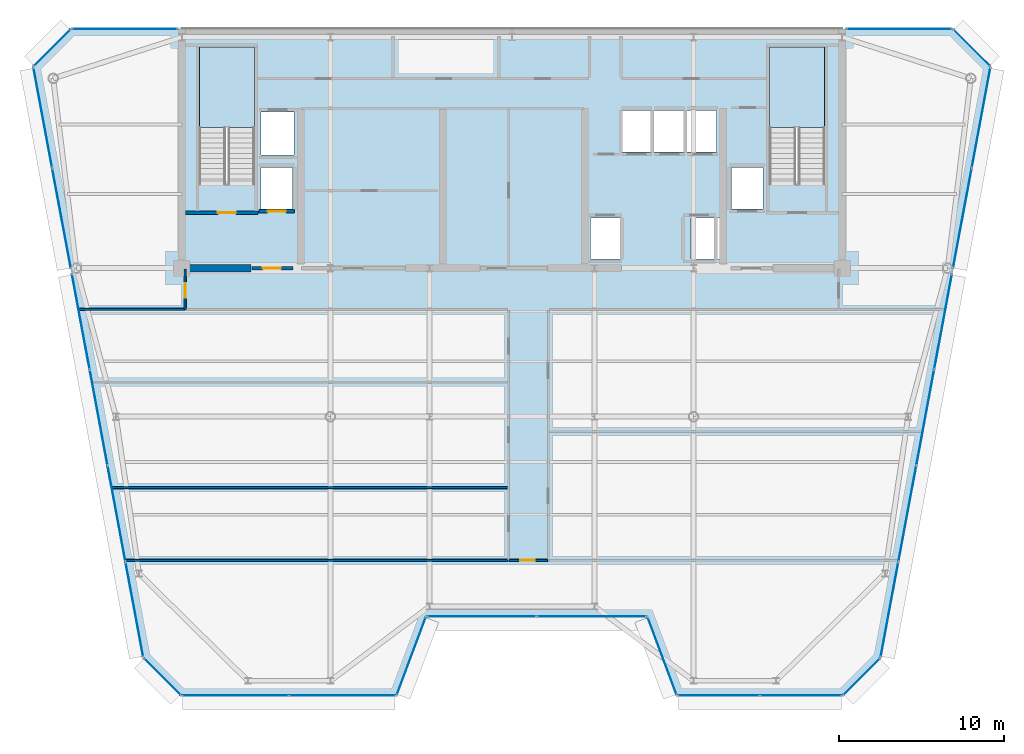
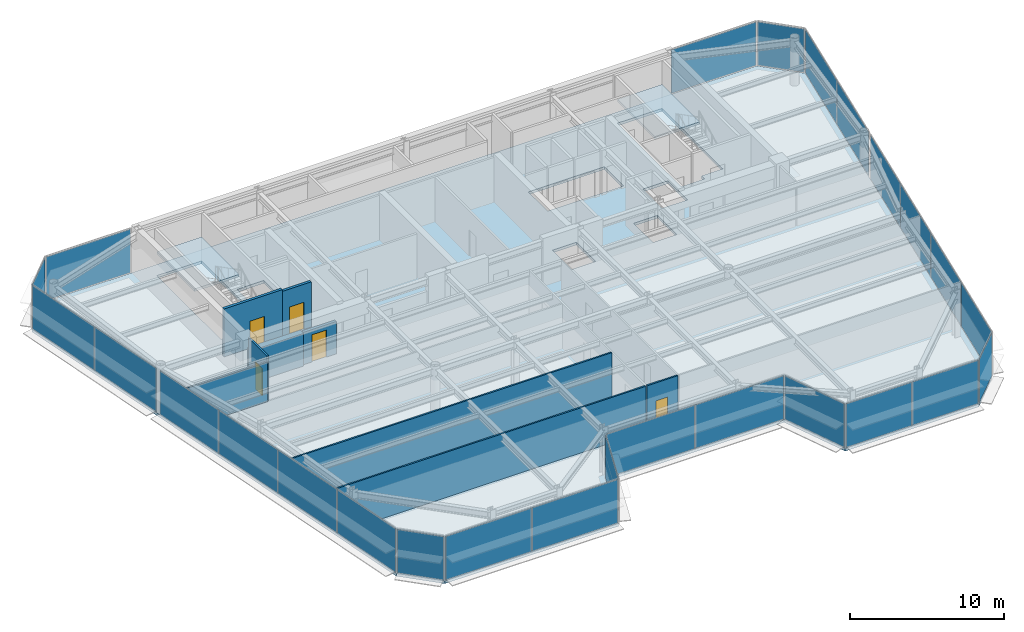
# One storey, part 9 of 18: 26 plates, 9 walls, 5 doors, 3 slabs, 5 openings, 17 elements without a shape of their own.
"""IFC4 building model written with IfcOpenShell, lengths in metres."""

from ifc_helpers import new_model, si_unit, direction, frame, frame_2d, origin, origin_2d, place, context, subcontext, project, spatial, polyline, rectangle, outline, extrude, source, transform, mapped, material, layer, layer_set, type_object, element, fill, aggregate, save


model = new_model("IFC4")

# Units and contexts
model_context = context("Model", 3, precision=1e-05, world=origin(), true_north=direction((0.0, 1.0)))
body_context = subcontext(model_context, "Body", "Model", "MODEL_VIEW")
ifc_project = project(units=[si_unit("LENGTHUNIT", "METRE"), si_unit("AREAUNIT", "SQUARE_METRE"), si_unit("VOLUMEUNIT", "CUBIC_METRE"), si_unit("PLANEANGLEUNIT", "RADIAN"), si_unit("MASSUNIT", "GRAM", prefix="KILO")], contexts=[model_context])

# Site, building, storey
site_placement = place(None, origin())
site = spatial("IfcSite", under=ifc_project, at=site_placement, CompositionType="ELEMENT")
building_placement = place(site_placement, origin())
building = spatial("IfcBuilding", under=site, at=building_placement, Name="Vaeldorn Concourse Tower", CompositionType="ELEMENT")
storey_placement = place(building_placement, frame((0.0, 0.0, 257.39990234375)))
storey = spatial("IfcBuildingStorey", under=building, at=storey_placement, Name="L66", CompositionType="ELEMENT", Elevation=257.39990234375)

# Stair, slab
ifc_material_1 = material(Name="Precast concrete C40/50", Category="concrete")
stair_type = type_object("IfcStairType", Name="STR-DOG-24x158", PredefinedType="HALF_TURN_STAIR", material=ifc_material_1)
stair_1_placement = place(storey_placement, origin())
stair_1 = element("IfcStair", 1, at=stair_1_placement, inside=storey, type_object=stair_type, Name="L66 West Core Exit Stair ST-1", PredefinedType="HALF_TURN_STAIR")
ifc_material_2 = material(Name="Concrete C40/50", Category="concrete")
ifc_layer_1 = layer(ifc_material_2, 0.199951171875)
ifc_layer_set_1 = layer_set([ifc_layer_1], Name="Concrete C40/50")
slab_type_1 = type_object("IfcSlabType", Name="SL-STAIR-LANDING", PredefinedType="LANDING", material=ifc_layer_set_1)
slab_1_placement = place(storey_placement, frame((0.0, 0.0, 1.7001953125)))
slab_1 = element("IfcSlab", 2, at=slab_1_placement, type_object=slab_type_1, Name="ST-1 landing 1", PredefinedType="LANDING", context=body_context, shape_type="SweptSolid", body=[
    extrude(outline(polyline([(18.39990234375, 45.010009765625), (18.39990234375, 49.89990234375), (15.050048828125, 49.89990234375), (15.050048828125, 45.010009765625), (18.39990234375, 45.010009765625)])), origin(), (0.0, 0.0, 1.0), 0.199951171875),
])
aggregate(stair_1, [slab_1])

stair_2_placement = place(storey_placement, origin())
stair_2 = element("IfcStair", 3, at=stair_2_placement, inside=storey, type_object=stair_type, Name="L66 East Core Exit Stair ST-2", PredefinedType="HALF_TURN_STAIR")
slab_2_placement = place(storey_placement, frame((0.0, 0.0, 1.7001953125)))
slab_2 = element("IfcSlab", 4, at=slab_2_placement, type_object=slab_type_1, Name="ST-2 landing 1", PredefinedType="LANDING", context=body_context, shape_type="SweptSolid", body=[
    extrude(outline(polyline([(52.949951171875, 45.010009765625), (52.949951171875, 49.89990234375), (49.60009765625, 49.89990234375), (49.60009765625, 45.010009765625), (52.949951171875, 45.010009765625)])), origin(), (0.0, 0.0, 1.0), 0.199951171875),
])
aggregate(stair_2, [slab_2])

# Slab
ifc_layer_2 = layer(ifc_material_2, 0.219970703125)
ifc_layer_set_2 = layer_set([ifc_layer_2], Name="Concrete C40/50")
slab_type_2 = type_object("IfcSlabType", Name="SL-TYP-220", PredefinedType="FLOOR", material=ifc_layer_set_2)
slab_3_placement = place(storey_placement, frame((0.0, 0.0, -0.219970703125)))
element("IfcSlab", 5, at=slab_3_placement, inside=storey, type_object=slab_type_2, Name="Structural Floor Slab L66", PredefinedType="FLOOR", context=body_context, shape_type="SweptSolid", body=[
    extrude(outline(polyline([(13.966064453125, 10.60009765625), (27.0, 10.60009765625), (28.800048828125, 15.39990234375), (42.199951171875, 15.39990234375), (44.0, 10.60009765625), (54.033935546875, 10.60009765625), (56.333984375, 12.89990234375), (63.0, 48.699951171875), (60.699951171875, 51.0), (7.300048828125, 51.0), (5.0, 48.699951171875), (11.666015625, 12.89990234375), (13.966064453125, 10.60009765625)]), holes=[polyline([(18.39990234375, 42.0), (18.39990234375, 49.89990234375), (15.050048828125, 49.89990234375), (15.050048828125, 41.60009765625), (16.800048828125, 41.60009765625), (16.800048828125, 42.0), (18.39990234375, 42.0)]), polyline([(52.949951171875, 42.0), (52.949951171875, 49.89990234375), (49.60009765625, 49.89990234375), (49.60009765625, 41.60009765625), (51.35009765625, 41.60009765625), (51.35009765625, 42.0), (52.949951171875, 42.0)]), polyline([(38.75, 37.050048828125), (40.550048828125, 37.050048828125), (40.550048828125, 39.550048828125), (38.75, 39.550048828125), (38.75, 37.050048828125)]), polyline([(44.85009765625, 37.050048828125), (46.64990234375, 37.050048828125), (46.64990234375, 39.550048828125), (44.85009765625, 39.550048828125), (44.85009765625, 37.050048828125)]), polyline([(40.699951171875, 43.550048828125), (46.39990234375, 43.550048828125), (46.39990234375, 46.050048828125), (40.699951171875, 46.050048828125), (40.699951171875, 43.550048828125)]), polyline([(18.800048828125, 43.35009765625), (20.800048828125, 43.35009765625), (20.800048828125, 45.949951171875), (18.800048828125, 45.949951171875), (18.800048828125, 43.35009765625)]), polyline([(18.800048828125, 40.10009765625), (20.699951171875, 40.10009765625), (20.699951171875, 42.60009765625), (18.800048828125, 42.60009765625), (18.800048828125, 40.10009765625)]), polyline([(47.300048828125, 40.10009765625), (49.199951171875, 40.10009765625), (49.199951171875, 42.60009765625), (47.300048828125, 42.60009765625), (47.300048828125, 40.10009765625)])]), origin(), (0.0, 0.0, 1.0), 0.219970703125),
])

# Curtain wall, plate
ifc_material_3 = material(Name="Anodised Bronze Aluminium", Category="aluminium")
ifc_layer_3 = layer(ifc_material_3, 0.179931640625)
ifc_layer_set_3 = layer_set([ifc_layer_3], Name="Anodised Bronze Aluminium")
curtain_wall_type = type_object("IfcCurtainWallType", Name="CW-SYS-05", PredefinedType="NOTDEFINED", material=ifc_layer_set_3)
curtain_wall_1_placement = place(storey_placement, origin())
curtain_wall_1 = element("IfcCurtainWall", 6, at=curtain_wall_1_placement, inside=storey, type_object=curtain_wall_type, Name="Unitised Curtain Wall CW-L66-E02-1", PredefinedType="NOTDEFINED")
ifc_material_4 = material(Name="Bronze Tinted Low-E Insulated Glass", Category="glass")
ifc_layer_4 = layer(ifc_material_4, 0.031982421875)
ifc_layer_set_4 = layer_set([ifc_layer_4], Name="Bronze Tinted Low-E Insulated Glass")
plate_type = type_object("IfcPlateType", Name="CWP-VISION-32", PredefinedType="CURTAIN_PANEL", material=ifc_layer_set_4)
shared_shape_1 = source(origin(), body_context, "Body", "SweptSolid", [
    extrude(rectangle(XDim=4.996337890625, YDim=0.031982421875, at=origin_2d()), origin(), (0.0, 0.0, 1.0), 3.449951171875),
])
plate_1_placement = place(storey_placement, frame((27.89990234375, 13.0, 0.06494140625), z_axis=(0.0, 0.0, 1.0), x_axis=(0.351123441595, 0.936329177566, 0.0)))
plate_1 = element("IfcPlate", 7, at=plate_1_placement, type_object=plate_type, Name="CW-05 panel 1.1", PredefinedType="CURTAIN_PANEL", context=body_context, shape_type="MappedRepresentation", body=[
    mapped(shared_shape_1, transform((0.0, 0.0, 0.0), scale=1.0)),
])
aggregate(curtain_wall_1, [plate_1])

curtain_wall_2_placement = place(storey_placement, origin())
curtain_wall_2 = element("IfcCurtainWall", 8, at=curtain_wall_2_placement, inside=storey, type_object=curtain_wall_type, Name="Unitised Curtain Wall CW-L66-E04-1", PredefinedType="NOTDEFINED")
plate_2_placement = place(storey_placement, frame((43.10009765625, 13.0, 0.06494140625), z_axis=(0.0, 0.0, 1.0), x_axis=(0.351123441595, -0.936329177566, 0.0)))
plate_2 = element("IfcPlate", 9, at=plate_2_placement, type_object=plate_type, Name="CW-05 panel 1.1", PredefinedType="CURTAIN_PANEL", context=body_context, shape_type="MappedRepresentation", body=[
    mapped(shared_shape_1, transform((0.0, 0.0, 0.0), scale=1.0)),
])
aggregate(curtain_wall_2, [plate_2])

# Curtain wall, plates
curtain_wall_3_placement = place(storey_placement, origin())
curtain_wall_3 = element("IfcCurtainWall", 10, at=curtain_wall_3_placement, inside=storey, type_object=curtain_wall_type, Name="Unitised Curtain Wall CW-L66-E03-1", PredefinedType="NOTDEFINED")
shared_shape_2 = source(origin(), body_context, "Body", "SweptSolid", [
    extrude(rectangle(XDim=6.6025390625, YDim=0.031982421875, at=origin_2d()), origin(), (0.0, 0.0, 1.0), 3.449951171875),
])
plate_3_placement = place(storey_placement, frame((32.166259765625, 15.39990234375, 0.06494140625), z_axis=(0.0, 0.0, 1.0), x_axis=(1.0, 0.0, 0.0)))
plate_3 = element("IfcPlate", 11, at=plate_3_placement, type_object=plate_type, Name="CW-05 panel 1.1", PredefinedType="CURTAIN_PANEL", context=body_context, shape_type="MappedRepresentation", body=[
    mapped(shared_shape_2, transform((0.0, 0.0, 0.0), scale=1.0)),
])
plate_4_placement = place(storey_placement, frame((38.833740234375, 15.39990234375, 0.06494140625), z_axis=(0.0, 0.0, 1.0), x_axis=(1.0, 0.0, 0.0)))
plate_4 = element("IfcPlate", 12, at=plate_4_placement, type_object=plate_type, Name="CW-05 panel 2.1", PredefinedType="CURTAIN_PANEL", context=body_context, shape_type="MappedRepresentation", body=[
    mapped(shared_shape_2, transform((0.0, 0.0, 0.0), scale=1.0)),
])
aggregate(curtain_wall_3, [plate_3, plate_4])

# Curtain wall, plate
curtain_wall_4_placement = place(storey_placement, origin())
curtain_wall_4 = element("IfcCurtainWall", 13, at=curtain_wall_4_placement, inside=storey, type_object=curtain_wall_type, Name="Unitised Curtain Wall CW-L66-E06-1", PredefinedType="NOTDEFINED")
shared_shape_3 = source(origin(), body_context, "Body", "SweptSolid", [
    extrude(rectangle(XDim=3.122802734375, YDim=0.031982421875, at=origin_2d()), origin(), (0.0, 0.0, 1.0), 3.449951171875),
])
plate_5_placement = place(storey_placement, frame((55.18408203125, 11.75, 0.06494140625), z_axis=(0.0, 0.0, 1.0), x_axis=(0.707106781187, 0.707106781187, 0.0)))
plate_5 = element("IfcPlate", 14, at=plate_5_placement, type_object=plate_type, Name="CW-05 panel 1.1", PredefinedType="CURTAIN_PANEL", context=body_context, shape_type="MappedRepresentation", body=[
    mapped(shared_shape_3, transform((0.0, 0.0, 0.0), scale=1.0)),
])
aggregate(curtain_wall_4, [plate_5])

curtain_wall_5_placement = place(storey_placement, origin())
curtain_wall_5 = element("IfcCurtainWall", 15, at=curtain_wall_5_placement, inside=storey, type_object=curtain_wall_type, Name="Unitised Curtain Wall CW-L66-E08-1", PredefinedType="NOTDEFINED")
plate_6_placement = place(storey_placement, frame((61.85009765625, 49.85009765625, 0.06494140625), z_axis=(0.0, 0.0, 1.0), x_axis=(-0.707106781187, 0.707106781187, 0.0)))
plate_6 = element("IfcPlate", 16, at=plate_6_placement, type_object=plate_type, Name="CW-05 panel 1.1", PredefinedType="CURTAIN_PANEL", context=body_context, shape_type="MappedRepresentation", body=[
    mapped(shared_shape_3, transform((0.0, 0.0, 0.0), scale=1.0)),
])
aggregate(curtain_wall_5, [plate_6])

curtain_wall_6_placement = place(storey_placement, origin())
curtain_wall_6 = element("IfcCurtainWall", 17, at=curtain_wall_6_placement, inside=storey, type_object=curtain_wall_type, Name="Unitised Curtain Wall CW-L66-E10-1", PredefinedType="NOTDEFINED")
plate_7_placement = place(storey_placement, frame((6.14990234375, 49.85009765625, 0.06494140625), z_axis=(0.0, 0.0, 1.0), x_axis=(-0.707106781187, -0.707106781187, 0.0)))
plate_7 = element("IfcPlate", 18, at=plate_7_placement, type_object=plate_type, Name="CW-05 panel 1.1", PredefinedType="CURTAIN_PANEL", context=body_context, shape_type="MappedRepresentation", body=[
    mapped(shared_shape_3, transform((0.0, 0.0, 0.0), scale=1.0)),
])
aggregate(curtain_wall_6, [plate_7])

curtain_wall_7_placement = place(storey_placement, origin())
curtain_wall_7 = element("IfcCurtainWall", 19, at=curtain_wall_7_placement, inside=storey, type_object=curtain_wall_type, Name="Unitised Curtain Wall CW-L66-E12-1", PredefinedType="NOTDEFINED")
plate_8_placement = place(storey_placement, frame((12.81591796875, 11.75, 0.06494140625), z_axis=(0.0, 0.0, 1.0), x_axis=(0.707106781187, -0.707106781187, 0.0)))
plate_8 = element("IfcPlate", 20, at=plate_8_placement, type_object=plate_type, Name="CW-05 panel 1.1", PredefinedType="CURTAIN_PANEL", context=body_context, shape_type="MappedRepresentation", body=[
    mapped(shared_shape_3, transform((0.0, 0.0, 0.0), scale=1.0)),
])
aggregate(curtain_wall_7, [plate_8])

# Curtain wall, plates
curtain_wall_8_placement = place(storey_placement, origin())
curtain_wall_8 = element("IfcCurtainWall", 21, at=curtain_wall_8_placement, inside=storey, type_object=curtain_wall_type, Name="Unitised Curtain Wall CW-L66-E07-1", PredefinedType="NOTDEFINED")
shared_shape_4 = source(origin(), body_context, "Body", "SweptSolid", [
    extrude(rectangle(XDim=5.82373046875, YDim=0.031982421875, at=origin_2d()), origin(), (0.0, 0.0, 1.0), 3.449951171875),
])
plate_9_placement = place(storey_placement, frame((56.87890625, 15.82666015625, 0.06494140625), z_axis=(0.0, 0.0, 1.0), x_axis=(0.18305510739, 0.983102653673, 0.0)))
plate_9 = element("IfcPlate", 22, at=plate_9_placement, type_object=plate_type, Name="CW-05 panel 1.1", PredefinedType="CURTAIN_PANEL", context=body_context, shape_type="MappedRepresentation", body=[
    mapped(shared_shape_4, transform((0.0, 0.0, 0.0), scale=1.0)),
])
plate_10_placement = place(storey_placement, frame((60.124755859375, 33.25830078125, 0.06494140625), z_axis=(0.0, 0.0, 1.0), x_axis=(0.18305510739, 0.983102653673, 0.0)))
plate_10 = element("IfcPlate", 23, at=plate_10_placement, type_object=plate_type, Name="CW-05 panel 4.1", PredefinedType="CURTAIN_PANEL", context=body_context, shape_type="MappedRepresentation", body=[
    mapped(shared_shape_4, transform((0.0, 0.0, 0.0), scale=1.0)),
])

curtain_wall_9_placement = place(storey_placement, origin())
curtain_wall_9 = element("IfcCurtainWall", 24, at=curtain_wall_9_placement, inside=storey, type_object=curtain_wall_type, Name="Unitised Curtain Wall CW-L66-E11-2", PredefinedType="NOTDEFINED")
plate_11_placement = place(storey_placement, frame((7.875244140625, 33.25830078125, 0.06494140625), z_axis=(0.0, 0.0, 1.0), x_axis=(0.18305510739, -0.983102653673, 0.0)))
plate_11 = element("IfcPlate", 25, at=plate_11_placement, type_object=plate_type, Name="CW-05 panel 1.1", PredefinedType="CURTAIN_PANEL", context=body_context, shape_type="MappedRepresentation", body=[
    mapped(shared_shape_4, transform((0.0, 0.0, 0.0), scale=1.0)),
])
plate_12_placement = place(storey_placement, frame((11.12109375, 15.82666015625, 0.06494140625), z_axis=(0.0, 0.0, 1.0), x_axis=(0.18305510739, -0.983102653673, 0.0)))
plate_12 = element("IfcPlate", 26, at=plate_12_placement, type_object=plate_type, Name="CW-05 panel 4.1", PredefinedType="CURTAIN_PANEL", context=body_context, shape_type="MappedRepresentation", body=[
    mapped(shared_shape_4, transform((0.0, 0.0, 0.0), scale=1.0)),
])

# Plate
shared_shape_5 = source(origin(), body_context, "Body", "SweptSolid", [
    extrude(rectangle(XDim=5.856201171875, YDim=0.031982421875, at=origin_2d()), origin(), (0.0, 0.0, 1.0), 3.449951171875),
])
plate_13_placement = place(storey_placement, frame((57.9599609375, 21.6318359375, 0.06494140625), z_axis=(0.0, 0.0, 1.0), x_axis=(0.18305510739, 0.983102653673, 0.0)))
plate_13 = element("IfcPlate", 27, at=plate_13_placement, type_object=plate_type, Name="CW-05 panel 2.1", PredefinedType="CURTAIN_PANEL", context=body_context, shape_type="MappedRepresentation", body=[
    mapped(shared_shape_5, transform((0.0, 0.0, 0.0), scale=1.0)),
])

plate_14_placement = place(storey_placement, frame((59.043701171875, 27.453125, 0.06494140625), z_axis=(0.0, 0.0, 1.0), x_axis=(0.18305510739, 0.983102653673, 0.0)))
plate_14 = element("IfcPlate", 28, at=plate_14_placement, type_object=plate_type, Name="CW-05 panel 3.1", PredefinedType="CURTAIN_PANEL", context=body_context, shape_type="MappedRepresentation", body=[
    mapped(shared_shape_5, transform((0.0, 0.0, 0.0), scale=1.0)),
])

aggregate(curtain_wall_8, [plate_9, plate_13, plate_14, plate_10])

plate_15_placement = place(storey_placement, frame((8.956298828125, 27.453125, 0.06494140625), z_axis=(0.0, 0.0, 1.0), x_axis=(0.18305510739, -0.983102653673, 0.0)))
plate_15 = element("IfcPlate", 29, at=plate_15_placement, type_object=plate_type, Name="CW-05 panel 2.1", PredefinedType="CURTAIN_PANEL", context=body_context, shape_type="MappedRepresentation", body=[
    mapped(shared_shape_5, transform((0.0, 0.0, 0.0), scale=1.0)),
])

plate_16_placement = place(storey_placement, frame((10.0400390625, 21.6318359375, 0.06494140625), z_axis=(0.0, 0.0, 1.0), x_axis=(0.18305510739, -0.983102653673, 0.0)))
plate_16 = element("IfcPlate", 30, at=plate_16_placement, type_object=plate_type, Name="CW-05 panel 3.1", PredefinedType="CURTAIN_PANEL", context=body_context, shape_type="MappedRepresentation", body=[
    mapped(shared_shape_5, transform((0.0, 0.0, 0.0), scale=1.0)),
])

aggregate(curtain_wall_9, [plate_11, plate_15, plate_16, plate_12])

# Curtain wall, plates
curtain_wall_10_placement = place(storey_placement, origin())
curtain_wall_10 = element("IfcCurtainWall", 31, at=curtain_wall_10_placement, inside=storey, type_object=curtain_wall_type, Name="Unitised Curtain Wall CW-L66-E07-2", PredefinedType="NOTDEFINED")
shared_shape_6 = source(origin(), body_context, "Body", "SweptSolid", [
    extrude(rectangle(XDim=6.143798828125, YDim=0.031982421875, at=origin_2d()), origin(), (0.0, 0.0, 1.0), 3.449951171875),
])
plate_17_placement = place(storey_placement, frame((61.289306640625, 39.51220703125, 0.06494140625), z_axis=(0.0, 0.0, 1.0), x_axis=(0.183054493257, 0.983102768025, 0.0)))
plate_17 = element("IfcPlate", 32, at=plate_17_placement, type_object=plate_type, Name="CW-05 panel 1.1", PredefinedType="CURTAIN_PANEL", context=body_context, shape_type="MappedRepresentation", body=[
    mapped(shared_shape_6, transform((0.0, 0.0, 0.0), scale=1.0)),
])
plate_18_placement = place(storey_placement, frame((62.42578125, 45.6162109375, 0.06494140625), z_axis=(0.0, 0.0, 1.0), x_axis=(0.183054493257, 0.983102768025, 0.0)))
plate_18 = element("IfcPlate", 33, at=plate_18_placement, type_object=plate_type, Name="CW-05 panel 2.1", PredefinedType="CURTAIN_PANEL", context=body_context, shape_type="MappedRepresentation", body=[
    mapped(shared_shape_6, transform((0.0, 0.0, 0.0), scale=1.0)),
])
aggregate(curtain_wall_10, [plate_17, plate_18])

curtain_wall_11_placement = place(storey_placement, origin())
curtain_wall_11 = element("IfcCurtainWall", 34, at=curtain_wall_11_placement, inside=storey, type_object=curtain_wall_type, Name="Unitised Curtain Wall CW-L66-E11-1", PredefinedType="NOTDEFINED")
plate_19_placement = place(storey_placement, frame((5.57421875, 45.6162109375, 0.06494140625), z_axis=(0.0, 0.0, 1.0), x_axis=(0.183054493257, -0.983102768025, 0.0)))
plate_19 = element("IfcPlate", 35, at=plate_19_placement, type_object=plate_type, Name="CW-05 panel 1.1", PredefinedType="CURTAIN_PANEL", context=body_context, shape_type="MappedRepresentation", body=[
    mapped(shared_shape_6, transform((0.0, 0.0, 0.0), scale=1.0)),
])
plate_20_placement = place(storey_placement, frame((6.710693359375, 39.51220703125, 0.06494140625), z_axis=(0.0, 0.0, 1.0), x_axis=(0.183054493257, -0.983102768025, 0.0)))
plate_20 = element("IfcPlate", 36, at=plate_20_placement, type_object=plate_type, Name="CW-05 panel 2.1", PredefinedType="CURTAIN_PANEL", context=body_context, shape_type="MappedRepresentation", body=[
    mapped(shared_shape_6, transform((0.0, 0.0, 0.0), scale=1.0)),
])
aggregate(curtain_wall_11, [plate_19, plate_20])

curtain_wall_12_placement = place(storey_placement, origin())
curtain_wall_12 = element("IfcCurtainWall", 37, at=curtain_wall_12_placement, inside=storey, type_object=curtain_wall_type, Name="Unitised Curtain Wall CW-L66-E01-1", PredefinedType="NOTDEFINED")
shared_shape_7 = source(origin(), body_context, "Body", "SweptSolid", [
    extrude(rectangle(XDim=6.41943359375, YDim=0.031982421875, at=origin_2d()), origin(), (0.0, 0.0, 1.0), 3.449951171875),
])
plate_21_placement = place(storey_placement, frame((17.24072265625, 10.60009765625, 0.06494140625), z_axis=(0.0, 0.0, 1.0), x_axis=(1.0, 0.0, 0.0)))
plate_21 = element("IfcPlate", 38, at=plate_21_placement, type_object=plate_type, Name="CW-05 panel 1.1", PredefinedType="CURTAIN_PANEL", context=body_context, shape_type="MappedRepresentation", body=[
    mapped(shared_shape_7, transform((0.0, 0.0, 0.0), scale=1.0)),
])
plate_22_placement = place(storey_placement, frame((23.725341796875, 10.60009765625, 0.06494140625), z_axis=(0.0, 0.0, 1.0), x_axis=(1.0, 0.0, 0.0)))
plate_22 = element("IfcPlate", 39, at=plate_22_placement, type_object=plate_type, Name="CW-05 panel 2.1", PredefinedType="CURTAIN_PANEL", context=body_context, shape_type="MappedRepresentation", body=[
    mapped(shared_shape_7, transform((0.0, 0.0, 0.0), scale=1.0)),
])
aggregate(curtain_wall_12, [plate_21, plate_22])

curtain_wall_13_placement = place(storey_placement, origin())
curtain_wall_13 = element("IfcCurtainWall", 40, at=curtain_wall_13_placement, inside=storey, type_object=curtain_wall_type, Name="Unitised Curtain Wall CW-L66-E05-1", PredefinedType="NOTDEFINED")
shared_shape_8 = source(origin(), body_context, "Body", "SweptSolid", [
    extrude(rectangle(XDim=4.91943359375, YDim=0.031982421875, at=origin_2d()), origin(), (0.0, 0.0, 1.0), 3.449951171875),
])
plate_23_placement = place(storey_placement, frame((46.524658203125, 10.60009765625, 0.06494140625), z_axis=(0.0, 0.0, 1.0), x_axis=(1.0, 0.0, 0.0)))
plate_23 = element("IfcPlate", 41, at=plate_23_placement, type_object=plate_type, Name="CW-05 panel 1.1", PredefinedType="CURTAIN_PANEL", context=body_context, shape_type="MappedRepresentation", body=[
    mapped(shared_shape_8, transform((0.0, 0.0, 0.0), scale=1.0)),
])
plate_24_placement = place(storey_placement, frame((51.50927734375, 10.60009765625, 0.06494140625), z_axis=(0.0, 0.0, 1.0), x_axis=(1.0, 0.0, 0.0)))
plate_24 = element("IfcPlate", 42, at=plate_24_placement, type_object=plate_type, Name="CW-05 panel 2.1", PredefinedType="CURTAIN_PANEL", context=body_context, shape_type="MappedRepresentation", body=[
    mapped(shared_shape_8, transform((0.0, 0.0, 0.0), scale=1.0)),
])
aggregate(curtain_wall_13, [plate_23, plate_24])

# Curtain wall, plate
curtain_wall_14_placement = place(storey_placement, origin())
curtain_wall_14 = element("IfcCurtainWall", 43, at=curtain_wall_14_placement, inside=storey, type_object=curtain_wall_type, Name="Unitised Curtain Wall CW-L66-E09-1", PredefinedType="NOTDEFINED")
shared_shape_9 = source(origin(), body_context, "Body", "SweptSolid", [
    extrude(rectangle(XDim=6.35009765625, YDim=0.031982421875, at=origin_2d()), origin(), (0.0, 0.0, 1.0), 3.449951171875),
])
plate_25_placement = place(storey_placement, frame((57.4599609375, 51.0, 0.06494140625), z_axis=(0.0, 0.0, 1.0), x_axis=(-1.0, 0.0, 0.0)))
plate_25 = element("IfcPlate", 44, at=plate_25_placement, type_object=plate_type, Name="CW-05 panel 1.1", PredefinedType="CURTAIN_PANEL", context=body_context, shape_type="MappedRepresentation", body=[
    mapped(shared_shape_9, transform((0.0, 0.0, 0.0), scale=1.0)),
])
aggregate(curtain_wall_14, [plate_25])

curtain_wall_15_placement = place(storey_placement, origin())
curtain_wall_15 = element("IfcCurtainWall", 45, at=curtain_wall_15_placement, inside=storey, type_object=curtain_wall_type, Name="Unitised Curtain Wall CW-L66-E09-2", PredefinedType="NOTDEFINED")
plate_26_placement = place(storey_placement, frame((10.5400390625, 51.0, 0.06494140625), z_axis=(0.0, 0.0, 1.0), x_axis=(-1.0, 0.0, 0.0)))
plate_26 = element("IfcPlate", 46, at=plate_26_placement, type_object=plate_type, Name="CW-05 panel 1.1", PredefinedType="CURTAIN_PANEL", context=body_context, shape_type="MappedRepresentation", body=[
    mapped(shared_shape_9, transform((0.0, 0.0, 0.0), scale=1.0)),
])
aggregate(curtain_wall_15, [plate_26])

# Wall
ifc_material_5 = material(Name="Concrete C50/60", Category="concrete")
ifc_layer_5 = layer(ifc_material_5, 0.449951171875)
ifc_layer_set_5 = layer_set([ifc_layer_5], Name="Concrete C50/60")
wall_type_1 = type_object("IfcWallType", Name="WL-CORE-450", PredefinedType="SHEAR", material=ifc_layer_set_5)
wall_1_placement = place(storey_placement, frame((14.2451171875, 36.5, 0.0), z_axis=(0.0, 0.0, 1.0), x_axis=(1.0, 0.0, 0.0)))
element("IfcWall", 47, at=wall_1_placement, inside=storey, type_object=wall_type_1, Name="Rear Core Shear Wall L66 S1", PredefinedType="SHEAR", context=body_context, shape_type="SweptSolid", body=[
    extrude(rectangle(XDim=3.954833984375, YDim=0.449951171875, at=frame_2d((1.9775390625, 0.0))), origin(), (0.0, 0.0, 1.0), 2.580078125),
])

# Wall, opening, door
ifc_material_6 = material(Name="Gypsum Board Partition", Category="gypsum")
ifc_layer_6 = layer(ifc_material_6, 0.1201171875)
ifc_layer_set_6 = layer_set([ifc_layer_6], Name="Gypsum Board Partition")
wall_type_2 = type_object("IfcWallType", Name="WL-PART-120", PredefinedType="PARTITIONING", material=ifc_layer_set_6)
wall_2_placement = place(storey_placement, frame((14.199951171875, 34.0, 0.0), z_axis=(0.0, 0.0, 1.0), x_axis=(0.0, 1.0, 0.0)))
wall_2 = element("IfcWall", 48, at=wall_2_placement, inside=storey, type_object=wall_type_2, Name="Interior Wall PW-L66-C3W", PredefinedType="PARTITIONING", context=body_context, shape_type="SweptSolid", body=[
    extrude(rectangle(XDim=2.43994140625, YDim=0.1201171875, at=frame_2d((1.219970703125, 0.0))), origin(), (0.0, 0.0, 1.0), 3.580078125),
])
opening_1_placement = place(wall_2_placement, frame((0.699951171875, 0.0, 0.0)))
opening_1 = element("IfcOpeningElement", 49, at=opening_1_placement, cuts=wall_2, Name="Opening D-03", PredefinedType="OPENING", context=body_context, shape_type="SweptSolid", body=[
    extrude(rectangle(XDim=0.89990234375, YDim=2.14990234375, at=frame_2d((0.449951171875, 1.074951171875))), frame((0.0, 0.070068359375, 0.0), z_axis=(0.0, -1.0, 0.0), x_axis=(1.0, 0.0, 0.0)), (0.0, 0.0, 1.0), 0.14013671875),
])
ifc_material_7 = material(Name="Acoustic Bronze-Framed Glass Door", Category="glass")
door_type_1 = type_object("IfcDoorType", Name="DR-INT-900", OperationType="NOTDEFINED", PredefinedType="DOOR", material=ifc_material_7)
shared_shape_10 = source(origin(), body_context, "Body", "SweptSolid", [
    extrude(rectangle(XDim=0.89990234375, YDim=2.14990234375, at=frame_2d((0.449951171875, 1.074951171875))), frame((0.0, 0.02490234375, 0.0), z_axis=(0.0, -1.0, 0.0), x_axis=(1.0, 0.0, 0.0)), (0.0, 0.0, 1.0), 0.050048828125),
])
door_1_placement = place(opening_1_placement, origin())
door_1 = element("IfcDoor", 50, at=door_1_placement, inside=storey, type_object=door_type_1, Name="Interior Door DR-L66-Z3NW", OperationType="SINGLE_SWING_LEFT", OverallHeight=2.14990234375, OverallWidth=0.89990234375, PredefinedType="DOOR", context=body_context, shape_type="MappedRepresentation", body=[
    mapped(shared_shape_10, transform((0.0, 0.0, 0.0), scale=1.0)),
])
fill(opening_1, door_1)

wall_3_placement = place(storey_placement, frame((33.840087890625, 18.800048828125, 0.0), z_axis=(0.0, 0.0, 1.0), x_axis=(1.0, 0.0, 0.0)))
wall_3 = element("IfcWall", 51, at=wall_3_placement, inside=storey, type_object=wall_type_2, Name="Interior Wall PW-L66-CSPS", PredefinedType="PARTITIONING", context=body_context, shape_type="SweptSolid", body=[
    extrude(rectangle(XDim=2.31982421875, YDim=0.1201171875, at=frame_2d((1.159912109375, 0.0))), origin(), (0.0, 0.0, 1.0), 3.580078125),
])
opening_2_placement = place(wall_3_placement, frame((0.64990234375, 0.0, 0.0)))
opening_2 = element("IfcOpeningElement", 52, at=opening_2_placement, cuts=wall_3, Name="Opening D-03", PredefinedType="OPENING", context=body_context, shape_type="SweptSolid", body=[
    extrude(rectangle(XDim=0.89990234375, YDim=2.14990234375, at=frame_2d((0.449951171875, 1.074951171875))), frame((0.0, 0.070068359375, 0.0), z_axis=(0.0, -1.0, 0.0), x_axis=(1.0, 0.0, 0.0)), (0.0, 0.0, 1.0), 0.14013671875),
])
door_2_placement = place(opening_2_placement, origin())
door_2 = element("IfcDoor", 53, at=door_2_placement, inside=storey, type_object=door_type_1, Name="Interior Door DR-L66-Z3SM", OperationType="SINGLE_SWING_LEFT", OverallHeight=2.14990234375, OverallWidth=0.89990234375, PredefinedType="DOOR", context=body_context, shape_type="MappedRepresentation", body=[
    mapped(shared_shape_10, transform((0.0, 0.0, 0.0), scale=1.0)),
])
fill(opening_2, door_2)

# Walls
wall_4_placement = place(storey_placement, frame((7.777099609375, 34.0, 0.0), z_axis=(0.0, 0.0, 1.0), x_axis=(1.0, 0.0, 0.0)))
element("IfcWall", 54, at=wall_4_placement, inside=storey, type_object=wall_type_2, Name="Interior Wall PW-L66-Z3NWB", PredefinedType="PARTITIONING", context=body_context, shape_type="SweptSolid", body=[
    extrude(rectangle(XDim=6.36279296875, YDim=0.1201171875, at=frame_2d((3.181396484375, 0.0))), origin(), (0.0, 0.0, 1.0), 3.170166015625),
])
wall_5_placement = place(storey_placement, frame((9.7880859375, 23.199951171875, 0.0), z_axis=(0.0, 0.0, 1.0), x_axis=(1.0, 0.0, 0.0)))
element("IfcWall", 55, at=wall_5_placement, inside=storey, type_object=wall_type_2, Name="Interior Wall PW-L66-Z3WY1", PredefinedType="PARTITIONING", context=body_context, shape_type="SweptSolid", body=[
    extrude(rectangle(XDim=23.951904296875, YDim=0.1201171875, at=frame_2d((11.97607421875, 0.0))), origin(), (0.0, 0.0, 1.0), 3.580078125),
])
wall_6_placement = place(storey_placement, frame((10.607421875, 18.800048828125, 0.0), z_axis=(0.0, 0.0, 1.0), x_axis=(1.0, 0.0, 0.0)))
element("IfcWall", 56, at=wall_6_placement, inside=storey, type_object=wall_type_2, Name="Interior Wall PW-L66-Z3SWL", PredefinedType="PARTITIONING", context=body_context, shape_type="SweptSolid", body=[
    extrude(rectangle(XDim=23.132568359375, YDim=0.1201171875, at=frame_2d((11.56640625, 0.0))), origin(), (0.0, 0.0, 1.0), 3.580078125),
])

# Wall, opening, door
ifc_layer_7 = layer(ifc_material_5, 0.199951171875)
ifc_layer_set_7 = layer_set([ifc_layer_7], Name="Concrete C50/60")
wall_type_3 = type_object("IfcWallType", Name="WL-SHAFT-200", PredefinedType="SOLIDWALL", material=ifc_layer_set_7)
wall_7_placement = place(storey_placement, frame((14.22509765625, 39.85009765625, 0.0), z_axis=(0.0, 0.0, 1.0), x_axis=(1.0, 0.0, 0.0)))
wall_7 = element("IfcWall", 57, at=wall_7_placement, inside=storey, type_object=wall_type_3, Name="Stair Shaft Wall CW-L66-ST-1-S", PredefinedType="SOLIDWALL", context=body_context, shape_type="SweptSolid", body=[
    extrude(rectangle(XDim=4.375, YDim=0.199951171875, at=frame_2d((2.1875, 0.0))), origin(), (0.0, 0.0, 1.0), 3.800048828125),
])
opening_3_placement = place(wall_7_placement, frame((1.949951171875, 0.0, 0.0)))
opening_3 = element("IfcOpeningElement", 58, at=opening_3_placement, cuts=wall_7, Name="Opening D-01", PredefinedType="OPENING", context=body_context, shape_type="SweptSolid", body=[
    extrude(rectangle(XDim=1.10009765625, YDim=2.14990234375, at=frame_2d((0.550048828125, 1.074951171875))), frame((0.0, 0.10986328125, 0.0), z_axis=(0.0, -1.0, 0.0), x_axis=(1.0, 0.0, 0.0)), (0.0, 0.0, 1.0), 0.219970703125),
])
ifc_material_8 = material(Name="Fire-Rated Timber and Steel Leaf", Category="steel")
door_type_2 = type_object("IfcDoorType", Name="DR-FD60-1100", OperationType="NOTDEFINED", PredefinedType="DOOR", material=ifc_material_8)
shared_shape_11 = source(origin(), body_context, "Body", "SweptSolid", [
    extrude(rectangle(XDim=1.10009765625, YDim=2.14990234375, at=frame_2d((0.550048828125, 1.074951171875))), frame((0.0, 0.02490234375, 0.0), z_axis=(0.0, -1.0, 0.0), x_axis=(1.0, 0.0, 0.0)), (0.0, 0.0, 1.0), 0.050048828125),
])
door_3_placement = place(opening_3_placement, origin())
door_3 = element("IfcDoor", 59, at=door_3_placement, inside=storey, type_object=door_type_2, Name="Interior Door DR-L66-ST-1", OperationType="SINGLE_SWING_LEFT", OverallHeight=2.14990234375, OverallWidth=1.10009765625, PredefinedType="DOOR", context=body_context, shape_type="MappedRepresentation", body=[
    mapped(shared_shape_11, transform((0.0, 0.0, 0.0), scale=1.0)),
])
fill(opening_3, door_3)

wall_8_placement = place(storey_placement, frame((18.25, 36.5, 0.0), z_axis=(0.0, 0.0, 1.0), x_axis=(1.0, 0.0, 0.0)))
wall_8 = element("IfcWall", 60, at=wall_8_placement, inside=storey, type_object=wall_type_3, Name="Interior Wall CW-L66-FF1S", PredefinedType="SOLIDWALL", context=body_context, shape_type="SweptSolid", body=[
    extrude(rectangle(XDim=2.469970703125, YDim=0.199951171875, at=frame_2d((1.23486328125, 0.0))), origin(), (0.0, 0.0, 1.0), 2.570068359375),
])
opening_4_placement = place(wall_8_placement, frame((0.64990234375, 0.0, 0.0)))
opening_4 = element("IfcOpeningElement", 61, at=opening_4_placement, cuts=wall_8, Name="Opening D-01", PredefinedType="OPENING", context=body_context, shape_type="SweptSolid", body=[
    extrude(rectangle(XDim=1.10009765625, YDim=2.14990234375, at=frame_2d((0.550048828125, 1.074951171875))), frame((0.0, 0.10986328125, 0.0), z_axis=(0.0, -1.0, 0.0), x_axis=(1.0, 0.0, 0.0)), (0.0, 0.0, 1.0), 0.219970703125),
])
door_4_placement = place(opening_4_placement, origin())
door_4 = element("IfcDoor", 62, at=door_4_placement, inside=storey, type_object=door_type_2, Name="Interior Door DR-L66-FF1E", OperationType="SINGLE_SWING_RIGHT", OverallHeight=2.14990234375, OverallWidth=1.10009765625, PredefinedType="DOOR", context=body_context, shape_type="MappedRepresentation", body=[
    mapped(shared_shape_11, transform((0.0, 0.0, 0.0), scale=1.0)),
])
fill(opening_4, door_4)

wall_9_placement = place(storey_placement, frame((18.669921875, 39.949951171875, 0.0), z_axis=(0.0, 0.0, 1.0), x_axis=(1.0, 0.0, 0.0)))
wall_9 = element("IfcWall", 63, at=wall_9_placement, inside=storey, type_object=wall_type_3, Name="Interior Wall CW-L66-LF-LF-FF1", PredefinedType="SOLIDWALL", context=body_context, shape_type="SweptSolid", body=[
    extrude(rectangle(XDim=2.16015625, YDim=0.199951171875, at=frame_2d((1.080078125, 0.0))), origin(), (0.0, 0.0, 1.0), 3.580078125),
])
opening_5_placement = place(wall_9_placement, frame((0.530029296875, 0.0, 0.0)))
opening_5 = element("IfcOpeningElement", 64, at=opening_5_placement, cuts=wall_9, Name="Opening LD-1", PredefinedType="OPENING", context=body_context, shape_type="SweptSolid", body=[
    extrude(rectangle(XDim=1.10009765625, YDim=2.14990234375, at=frame_2d((0.550048828125, 1.074951171875))), frame((0.0, 0.10986328125, 0.0), z_axis=(0.0, -1.0, 0.0), x_axis=(1.0, 0.0, 0.0)), (0.0, 0.0, 1.0), 0.219970703125),
])
door_type_3 = type_object("IfcDoorType", Name="DR-LIFT-SLIDE-1100", OperationType="DOUBLE_DOOR_SLIDING", PredefinedType="DOOR", material=ifc_material_3)
door_5_placement = place(opening_5_placement, origin())
door_5 = element("IfcDoor", 65, at=door_5_placement, inside=storey, type_object=door_type_3, Name="Lift Landing Door LD-L66-LF-FF1", OperationType="DOUBLE_DOOR_SLIDING", OverallHeight=2.14990234375, OverallWidth=1.10009765625, PredefinedType="DOOR", context=body_context, shape_type="MappedRepresentation", body=[
    mapped(shared_shape_11, transform((0.0, 0.0, 0.0), scale=1.0)),
])
fill(opening_5, door_5)

save(model, "model.ifc")
